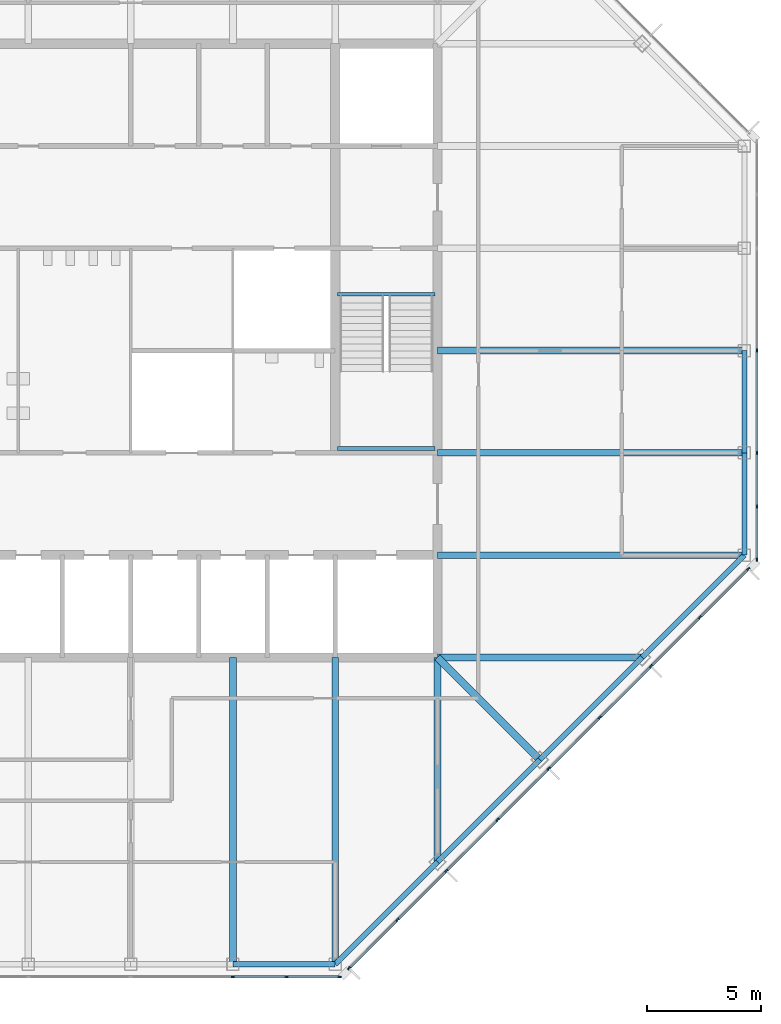
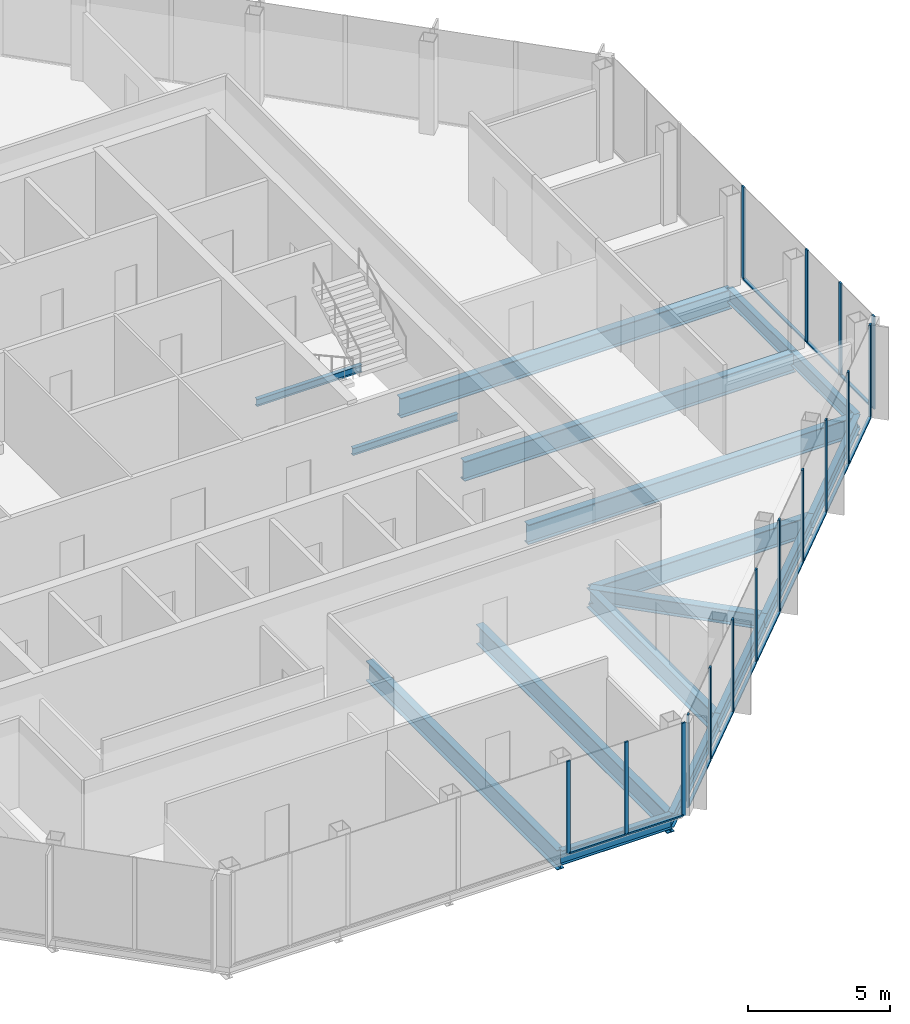
# One storey, part 4 of 14: 29 members, 17 beams, 3 elements without a shape of their own.
"""IFC4 building model written with IfcOpenShell, lengths in metres."""

from ifc_helpers import new_model, si_unit, direction, frame, origin, origin_2d, place, context, subcontext, project, spatial, rectangle, i_section, extrude, material, material_profile, profile_set, type_object, element, aggregate, save


model = new_model("IFC4")

# Units and contexts
model_context = context("Model", 3, precision=1e-05, world=origin(), true_north=direction((0.0, 1.0)))
body_context = subcontext(model_context, "Body", "Model", "MODEL_VIEW")
ifc_project = project(units=[si_unit("LENGTHUNIT", "METRE"), si_unit("AREAUNIT", "SQUARE_METRE"), si_unit("VOLUMEUNIT", "CUBIC_METRE"), si_unit("PLANEANGLEUNIT", "RADIAN"), si_unit("MASSUNIT", "GRAM", prefix="KILO")], contexts=[model_context])

# Site, building, storey
site_placement = place(None, origin())
site = spatial("IfcSite", under=ifc_project, at=site_placement, CompositionType="ELEMENT")
building_placement = place(site_placement, origin())
building = spatial("IfcBuilding", under=site, at=building_placement, Name="Corais Broadcast Tower", CompositionType="ELEMENT")
storey_placement = place(building_placement, frame((0.0, 0.0, 298.60009765625)))
storey = spatial("IfcBuildingStorey", under=building, at=storey_placement, Name="L70", CompositionType="ELEMENT", Elevation=298.60009765625)

# Beams
ifc_material_1 = material(Name="Steel ASTM A572 Grade 50", Category="steel")
ifc_material_profile_1 = material_profile(ifc_material_1, i_section(OverallWidth=0.323974609375, OverallDepth=0.611083984375, WebThickness=0.0126953125, FlangeThickness=0.01904296875, at=origin_2d()), Name="W610x155")
ifc_profile_set_1 = profile_set([ifc_material_profile_1], Name="Steel ASTM A572 Grade 50")
beam_type_1 = type_object("IfcBeamType", Name="Corner diagonal W610x155", PredefinedType="BEAM", material=ifc_profile_set_1)
beam_1_placement = place(storey_placement, frame((45.0, 9.0, -0.465576171875), z_axis=(-0.707106781187, 0.707106781187, 0.0), x_axis=(-0.707106781187, -0.707106781187, 0.0)))
element("IfcBeam", 1, at=beam_1_placement, inside=storey, type_object=beam_type_1, Name="B6 C/13 to D/12", PredefinedType="BEAM", context=body_context, shape_type="SweptSolid", body=[
    extrude(i_section(OverallWidth=0.323974609375, OverallDepth=0.611083984375, WebThickness=0.0126953125, FlangeThickness=0.01904296875, at=origin_2d()), origin(), (0.0, 0.0, 1.0), 6.364013671875),
])
ifc_material_2 = material(Name="Steel ASTM A572 Grade 50", Category="steel")
ifc_material_profile_2 = material_profile(ifc_material_2, i_section(OverallWidth=0.2939453125, OverallDepth=0.85107421875, WebThickness=0.01611328125, FlangeThickness=0.02685546875, at=origin_2d()), Name="W840x226")
ifc_profile_set_2 = profile_set([ifc_material_profile_2], Name="Steel ASTM A572 Grade 50")
beam_type_2 = type_object("IfcBeamType", Name="Floor beam W840x226", PredefinedType="BEAM", material=ifc_profile_set_2)
for number, where, z_axis, x_axis, name in (
    (2, (31.5, 0.0, -0.585693359375), (0.0, 1.0, 0.0), (-1.0, 0.0, 0.0), "B1 A/10 to D/10"),
    (3, (36.0, 0.0, -0.585693359375), (0.0, 1.0, 0.0), (-1.0, 0.0, 0.0), "B1 A/11 to D/11"),
):
    element("IfcBeam", number, at=place(storey_placement, frame(where, z_axis=z_axis, x_axis=x_axis)), inside=storey, type_object=beam_type_2, Name=name, PredefinedType="BEAM", context=body_context, shape_type="SweptSolid", body=[
        extrude(i_section(OverallWidth=0.2939453125, OverallDepth=0.85107421875, WebThickness=0.01611328125, FlangeThickness=0.02685546875, at=origin_2d()), origin(), (0.0, 0.0, 1.0), 13.5),
    ])
for number, where, z_axis, x_axis, name in (
    (4, (40.5, 4.5, -0.585693359375), (0.0, 1.0, 0.0), (-1.0, 0.0, 0.0), "B1 B/12 to D/12"),
    (5, (49.5, 13.5, -0.585693359375), (-1.0, 0.0, 0.0), (0.0, -1.0, 0.0), "B1 D/14 to D/12"),
):
    element("IfcBeam", number, at=place(storey_placement, frame(where, z_axis=z_axis, x_axis=x_axis)), inside=storey, type_object=beam_type_2, Name=name, PredefinedType="BEAM", context=body_context, shape_type="SweptSolid", body=[
        extrude(i_section(OverallWidth=0.2939453125, OverallDepth=0.85107421875, WebThickness=0.01611328125, FlangeThickness=0.02685546875, at=origin_2d()), origin(), (0.0, 0.0, 1.0), 9.0),
    ])
for number, where, z_axis, x_axis, name in (
    (6, (54.0, 18.0, -0.585693359375), (-1.0, 0.0, 0.0), (0.0, -1.0, 0.0), "B1 E/15 to E/12"),
    (7, (54.0, 22.5, -0.585693359375), (-1.0, 0.0, 0.0), (0.0, -1.0, 0.0), "B1 F/15 to F/12"),
    (8, (54.0, 27.0, -0.585693359375), (-1.0, 0.0, 0.0), (0.0, -1.0, 0.0), "B1 G/15 to G/12"),
):
    element("IfcBeam", number, at=place(storey_placement, frame(where, z_axis=z_axis, x_axis=x_axis)), inside=storey, type_object=beam_type_2, Name=name, PredefinedType="BEAM", context=body_context, shape_type="SweptSolid", body=[
        extrude(i_section(OverallWidth=0.2939453125, OverallDepth=0.85107421875, WebThickness=0.01611328125, FlangeThickness=0.02685546875, at=origin_2d()), origin(), (0.0, 0.0, 1.0), 13.5),
    ])
ifc_material_3 = material(Name="Steel ASTM A572 Grade 50", Category="steel")
ifc_material_profile_3 = material_profile(ifc_material_3, i_section(OverallWidth=0.1650390625, OverallDepth=0.31005859375, WebThickness=0.005859375, FlangeThickness=0.009765625, at=origin_2d()), Name="W310x38.7")
ifc_profile_set_3 = profile_set([ifc_material_profile_3], Name="Steel ASTM A572 Grade 50")
beam_type_3 = type_object("IfcBeamType", Name="Landing trimmer W310x38.7", PredefinedType="BEAM", material=ifc_profile_set_3)
for number, where, z_axis, x_axis, name in (
    (9, (36.10009765625, 29.47509765625, -0.35498046875), (1.0, 0.0, 0.0), (0.0, 1.0, 0.0), "LT1 stair B landing trimmer L70"),
    (10, (36.10009765625, 22.68994140625, 1.64501953125), (1.0, 0.0, 0.0), (0.0, 1.0, 0.0), "LT1 stair B half landing trimmer L70"),
):
    element("IfcBeam", number, at=place(storey_placement, frame(where, z_axis=z_axis, x_axis=x_axis)), inside=storey, type_object=beam_type_3, Name=name, PredefinedType="BEAM", context=body_context, shape_type="SweptSolid", body=[
        extrude(i_section(OverallWidth=0.1650390625, OverallDepth=0.31005859375, WebThickness=0.005859375, FlangeThickness=0.009765625, at=origin_2d()), origin(), (0.0, 0.0, 1.0), 4.2998046875),
    ])

# Curtain wall, members
ifc_material_4 = material(Name="Aluminium and glass", Category="aluminium")
curtain_wall_type = type_object("IfcCurtainWallType", Name="Unitised fritted curtain wall CW3", PredefinedType="NOTDEFINED", material=ifc_material_4)
curtain_wall_1_placement = place(storey_placement, origin())
curtain_wall_1 = element("IfcCurtainWall", 11, at=curtain_wall_1_placement, inside=storey, type_object=curtain_wall_type, Name="CW3 curtain wall L70 6", PredefinedType="NOTDEFINED")
ifc_material_5 = material(Name="Aluminium 6063-T6", Category="aluminium")
ifc_material_profile_4 = material_profile(ifc_material_5, rectangle(XDim=0.06494140625, YDim=0.159912109375, at=origin_2d()), Name="Mullion CW3 65x160")
ifc_profile_set_4 = profile_set([ifc_material_profile_4], Name="Aluminium 6063-T6")
member_type_1 = type_object("IfcMemberType", Name="Mullion CW3 65x160", PredefinedType="MULLION", material=ifc_profile_set_4)
member_1_placement = place(storey_placement, frame((54.550048828125, 27.0, 0.0), z_axis=(0.0, 0.0, 1.0), x_axis=(1.0, 0.0, 0.0)))
member_1 = element("IfcMember", 12, at=member_1_placement, type_object=member_type_1, Name="CW3 mullion 4", PredefinedType="MULLION", context=body_context, shape_type="SweptSolid", body=[
    extrude(rectangle(XDim=0.06494140625, YDim=0.159912109375, at=origin_2d()), origin(), (0.0, 0.0, 1.0), 4.0),
])
member_2_placement = place(storey_placement, frame((54.550048828125, 22.5, 0.0), z_axis=(0.0, 0.0, 1.0), x_axis=(1.0, 0.0, 0.0)))
member_2 = element("IfcMember", 13, at=member_2_placement, type_object=member_type_1, Name="CW3 mullion 5", PredefinedType="MULLION", context=body_context, shape_type="SweptSolid", body=[
    extrude(rectangle(XDim=0.06494140625, YDim=0.159912109375, at=origin_2d()), origin(), (0.0, 0.0, 1.0), 4.0),
])
member_3_placement = place(storey_placement, frame((54.550048828125, 20.135986328125, 0.0), z_axis=(0.0, 0.0, 1.0), x_axis=(1.0, 0.0, 0.0)))
member_3 = element("IfcMember", 14, at=member_3_placement, type_object=member_type_1, Name="CW3 mullion 6", PredefinedType="MULLION", context=body_context, shape_type="SweptSolid", body=[
    extrude(rectangle(XDim=0.06494140625, YDim=0.159912109375, at=origin_2d()), origin(), (0.0, 0.0, 1.0), 4.0),
])
member_4_placement = place(storey_placement, frame((54.550048828125, 17.8046875, 0.0), z_axis=(0.0, 0.0, 1.0), x_axis=(1.0, 0.0, 0.0)))
member_4 = element("IfcMember", 15, at=member_4_placement, type_object=member_type_1, Name="CW3 mullion 7", PredefinedType="MULLION", context=body_context, shape_type="SweptSolid", body=[
    extrude(rectangle(XDim=0.06494140625, YDim=0.159912109375, at=origin_2d()), origin(), (0.0, 0.0, 1.0), 4.0),
])

curtain_wall_2_placement = place(storey_placement, origin())
curtain_wall_2 = element("IfcCurtainWall", 16, at=curtain_wall_2_placement, inside=storey, type_object=curtain_wall_type, Name="CW3 curtain wall L70 7", PredefinedType="NOTDEFINED")
member_5_placement = place(storey_placement, frame((54.17333984375, 17.3955078125, 0.0), z_axis=(0.0, 0.0, 1.0), x_axis=(0.707106781187, -0.707106781187, 0.0)))
member_5 = element("IfcMember", 17, at=member_5_placement, type_object=member_type_1, Name="CW3 mullion 1", PredefinedType="MULLION", context=body_context, shape_type="SweptSolid", body=[
    extrude(rectangle(XDim=0.06494140625, YDim=0.159912109375, at=origin_2d()), origin(), (0.0, 0.0, 1.0), 4.0),
])
member_6_placement = place(storey_placement, frame((52.042724609375, 15.264892578125, 0.0), z_axis=(0.0, 0.0, 1.0), x_axis=(0.707106781187, -0.707106781187, 0.0)))
member_6 = element("IfcMember", 18, at=member_6_placement, type_object=member_type_1, Name="CW3 mullion 2", PredefinedType="MULLION", context=body_context, shape_type="SweptSolid", body=[
    extrude(rectangle(XDim=0.06494140625, YDim=0.159912109375, at=origin_2d()), origin(), (0.0, 0.0, 1.0), 4.0),
])
member_7_placement = place(storey_placement, frame((49.888916015625, 13.111083984375, 0.0), z_axis=(0.0, 0.0, 1.0), x_axis=(0.707106781187, -0.707106781187, 0.0)))
member_7 = element("IfcMember", 19, at=member_7_placement, type_object=member_type_1, Name="CW3 mullion 3", PredefinedType="MULLION", context=body_context, shape_type="SweptSolid", body=[
    extrude(rectangle(XDim=0.06494140625, YDim=0.159912109375, at=origin_2d()), origin(), (0.0, 0.0, 1.0), 4.0),
])
member_8_placement = place(storey_placement, frame((47.638916015625, 10.861083984375, 0.0), z_axis=(0.0, 0.0, 1.0), x_axis=(0.707106781187, -0.707106781187, 0.0)))
member_8 = element("IfcMember", 20, at=member_8_placement, type_object=member_type_1, Name="CW3 mullion 4", PredefinedType="MULLION", context=body_context, shape_type="SweptSolid", body=[
    extrude(rectangle(XDim=0.06494140625, YDim=0.159912109375, at=origin_2d()), origin(), (0.0, 0.0, 1.0), 4.0),
])
member_9_placement = place(storey_placement, frame((45.388916015625, 8.611083984375, 0.0), z_axis=(0.0, 0.0, 1.0), x_axis=(0.707106781187, -0.707106781187, 0.0)))
member_9 = element("IfcMember", 21, at=member_9_placement, type_object=member_type_1, Name="CW3 mullion 5", PredefinedType="MULLION", context=body_context, shape_type="SweptSolid", body=[
    extrude(rectangle(XDim=0.06494140625, YDim=0.159912109375, at=origin_2d()), origin(), (0.0, 0.0, 1.0), 4.0),
])
member_10_placement = place(storey_placement, frame((43.138916015625, 6.361083984375, 0.0), z_axis=(0.0, 0.0, 1.0), x_axis=(0.707106781187, -0.707106781187, 0.0)))
member_10 = element("IfcMember", 22, at=member_10_placement, type_object=member_type_1, Name="CW3 mullion 6", PredefinedType="MULLION", context=body_context, shape_type="SweptSolid", body=[
    extrude(rectangle(XDim=0.06494140625, YDim=0.159912109375, at=origin_2d()), origin(), (0.0, 0.0, 1.0), 4.0),
])
member_11_placement = place(storey_placement, frame((40.888916015625, 4.111083984375, 0.0), z_axis=(0.0, 0.0, 1.0), x_axis=(0.707106781187, -0.707106781187, 0.0)))
member_11 = element("IfcMember", 23, at=member_11_placement, type_object=member_type_1, Name="CW3 mullion 7", PredefinedType="MULLION", context=body_context, shape_type="SweptSolid", body=[
    extrude(rectangle(XDim=0.06494140625, YDim=0.159912109375, at=origin_2d()), origin(), (0.0, 0.0, 1.0), 4.0),
])
member_12_placement = place(storey_placement, frame((38.735107421875, 1.957275390625, 0.0), z_axis=(0.0, 0.0, 1.0), x_axis=(0.707106781187, -0.707106781187, 0.0)))
member_12 = element("IfcMember", 24, at=member_12_placement, type_object=member_type_1, Name="CW3 mullion 8", PredefinedType="MULLION", context=body_context, shape_type="SweptSolid", body=[
    extrude(rectangle(XDim=0.06494140625, YDim=0.159912109375, at=origin_2d()), origin(), (0.0, 0.0, 1.0), 4.0),
])
member_13_placement = place(storey_placement, frame((36.6044921875, -0.17333984375, 0.0), z_axis=(0.0, 0.0, 1.0), x_axis=(0.707106781187, -0.707106781187, 0.0)))
member_13 = element("IfcMember", 25, at=member_13_placement, type_object=member_type_1, Name="CW3 mullion 9", PredefinedType="MULLION", context=body_context, shape_type="SweptSolid", body=[
    extrude(rectangle(XDim=0.06494140625, YDim=0.159912109375, at=origin_2d()), origin(), (0.0, 0.0, 1.0), 4.0),
])

curtain_wall_3_placement = place(storey_placement, origin())
curtain_wall_3 = element("IfcCurtainWall", 26, at=curtain_wall_3_placement, inside=storey, type_object=curtain_wall_type, Name="CW3 curtain wall L70 8", PredefinedType="NOTDEFINED")
member_14_placement = place(storey_placement, frame((36.1953125, -0.550048828125, 0.0), z_axis=(0.0, 0.0, 1.0), x_axis=(0.0, -1.0, 0.0)))
member_14 = element("IfcMember", 27, at=member_14_placement, type_object=member_type_1, Name="CW3 mullion 1", PredefinedType="MULLION", context=body_context, shape_type="SweptSolid", body=[
    extrude(rectangle(XDim=0.06494140625, YDim=0.159912109375, at=origin_2d()), origin(), (0.0, 0.0, 1.0), 4.0),
])
member_15_placement = place(storey_placement, frame((33.864013671875, -0.550048828125, 0.0), z_axis=(0.0, 0.0, 1.0), x_axis=(0.0, -1.0, 0.0)))
member_15 = element("IfcMember", 28, at=member_15_placement, type_object=member_type_1, Name="CW3 mullion 2", PredefinedType="MULLION", context=body_context, shape_type="SweptSolid", body=[
    extrude(rectangle(XDim=0.06494140625, YDim=0.159912109375, at=origin_2d()), origin(), (0.0, 0.0, 1.0), 4.0),
])
member_16_placement = place(storey_placement, frame((31.5, -0.550048828125, 0.0), z_axis=(0.0, 0.0, 1.0), x_axis=(0.0, -1.0, 0.0)))
member_16 = element("IfcMember", 29, at=member_16_placement, type_object=member_type_1, Name="CW3 mullion 3", PredefinedType="MULLION", context=body_context, shape_type="SweptSolid", body=[
    extrude(rectangle(XDim=0.06494140625, YDim=0.159912109375, at=origin_2d()), origin(), (0.0, 0.0, 1.0), 4.0),
])

# Beams
ifc_material_6 = material(Name="Steel ASTM A572 Grade 50", Category="steel")
ifc_material_profile_5 = material_profile(ifc_material_6, i_section(OverallWidth=0.22998046875, OverallDepth=0.616943359375, WebThickness=0.01318359375, FlangeThickness=0.022216796875, at=origin_2d()), Name="W610x140")
ifc_profile_set_5 = profile_set([ifc_material_profile_5], Name="Steel ASTM A572 Grade 50")
beam_type_4 = type_object("IfcBeamType", Name="Spandrel W610x140", PredefinedType="BEAM", material=ifc_profile_set_5)
beam_2_placement = place(storey_placement, frame((31.5, 0.0, -0.468505859375), z_axis=(1.0, 0.0, 0.0), x_axis=(0.0, 1.0, 0.0)))
element("IfcBeam", 30, at=beam_2_placement, inside=storey, type_object=beam_type_4, Name="SB3 A/10 to A/11", PredefinedType="BEAM", context=body_context, shape_type="SweptSolid", body=[
    extrude(i_section(OverallWidth=0.22998046875, OverallDepth=0.616943359375, WebThickness=0.01318359375, FlangeThickness=0.022216796875, at=origin_2d()), origin(), (0.0, 0.0, 1.0), 4.5),
])
for number, where, z_axis, x_axis, name in (
    (31, (36.0, 0.0, -0.468505859375), (0.707106781187, 0.707106781187, 0.0), (-0.707106781187, 0.707106781187, 0.0), "SB3 A/11 to B/12"),
    (32, (40.5, 4.5, -0.468505859375), (0.707106781187, 0.707106781187, 0.0), (-0.707106781187, 0.707106781187, 0.0), "SB3 B/12 to C/13"),
    (33, (45.0, 9.0, -0.468505859375), (0.707106781187, 0.707106781187, 0.0), (-0.707106781187, 0.707106781187, 0.0), "SB3 C/13 to D/14"),
    (34, (49.5, 13.5, -0.468505859375), (0.707106781187, 0.707106781187, 0.0), (-0.707106781187, 0.707106781187, 0.0), "SB3 D/14 to E/15"),
):
    element("IfcBeam", number, at=place(storey_placement, frame(where, z_axis=z_axis, x_axis=x_axis)), inside=storey, type_object=beam_type_4, Name=name, PredefinedType="BEAM", context=body_context, shape_type="SweptSolid", body=[
        extrude(i_section(OverallWidth=0.22998046875, OverallDepth=0.616943359375, WebThickness=0.01318359375, FlangeThickness=0.022216796875, at=origin_2d()), origin(), (0.0, 0.0, 1.0), 6.364013671875),
    ])
for number, where, z_axis, x_axis, name in (
    (35, (54.0, 18.0, -0.468505859375), (0.0, 1.0, 0.0), (-1.0, 0.0, 0.0), "SB3 E/15 to F/15"),
    (36, (54.0, 22.5, -0.468505859375), (0.0, 1.0, 0.0), (-1.0, 0.0, 0.0), "SB3 F/15 to G/15"),
):
    element("IfcBeam", number, at=place(storey_placement, frame(where, z_axis=z_axis, x_axis=x_axis)), inside=storey, type_object=beam_type_4, Name=name, PredefinedType="BEAM", context=body_context, shape_type="SweptSolid", body=[
        extrude(i_section(OverallWidth=0.22998046875, OverallDepth=0.616943359375, WebThickness=0.01318359375, FlangeThickness=0.022216796875, at=origin_2d()), origin(), (0.0, 0.0, 1.0), 4.5),
    ])

# Member
ifc_material_7 = material(Name="Aluminium 6063-T6", Category="aluminium")
ifc_material_profile_6 = material_profile(ifc_material_7, rectangle(XDim=0.1201171875, YDim=0.06494140625, at=origin_2d()), Name="Transom CW3 65x120")
ifc_profile_set_6 = profile_set([ifc_material_profile_6], Name="Aluminium 6063-T6")
member_type_2 = type_object("IfcMemberType", Name="Transom CW3 65x120", PredefinedType="USERDEFINED", material=ifc_profile_set_6)
member_17_placement = place(storey_placement, frame((54.550048828125, 26.967529296875, 0.032470703125), z_axis=(0.0, -1.0, 0.0), x_axis=(1.0, 0.0, 0.0)))
member_17 = element("IfcMember", 37, at=member_17_placement, type_object=member_type_2, Name="CW3 transom 4.1", ObjectType="TRANSOM", PredefinedType="USERDEFINED", context=body_context, shape_type="SweptSolid", body=[
    extrude(rectangle(XDim=0.1201171875, YDim=0.06494140625, at=origin_2d()), origin(), (0.0, 0.0, 1.0), 4.43505859375),
])

member_18_placement = place(storey_placement, frame((54.550048828125, 22.467529296875, 0.032470703125), z_axis=(0.0, -1.0, 0.0), x_axis=(1.0, 0.0, 0.0)))
member_18 = element("IfcMember", 38, at=member_18_placement, type_object=member_type_2, Name="CW3 transom 5.1", ObjectType="TRANSOM", PredefinedType="USERDEFINED", context=body_context, shape_type="SweptSolid", body=[
    extrude(rectangle(XDim=0.1201171875, YDim=0.06494140625, at=origin_2d()), origin(), (0.0, 0.0, 1.0), 2.298828125),
])

member_19_placement = place(storey_placement, frame((54.550048828125, 20.103515625, 0.032470703125), z_axis=(0.0, -1.0, 0.0), x_axis=(1.0, 0.0, 0.0)))
member_19 = element("IfcMember", 39, at=member_19_placement, type_object=member_type_2, Name="CW3 transom 6.1", ObjectType="TRANSOM", PredefinedType="USERDEFINED", context=body_context, shape_type="SweptSolid", body=[
    extrude(rectangle(XDim=0.1201171875, YDim=0.06494140625, at=origin_2d()), origin(), (0.0, 0.0, 1.0), 2.266357421875),
])

aggregate(curtain_wall_1, [member_1, member_2, member_3, member_4, member_17, member_18, member_19])

member_20_placement = place(storey_placement, frame((54.150390625, 17.37255859375, 0.032470703125), z_axis=(-0.707106781187, -0.707106781187, 0.0), x_axis=(0.707106781187, -0.707106781187, 0.0)))
member_20 = element("IfcMember", 40, at=member_20_placement, type_object=member_type_2, Name="CW3 transom 1.1", ObjectType="TRANSOM", PredefinedType="USERDEFINED", context=body_context, shape_type="SweptSolid", body=[
    extrude(rectangle(XDim=0.1201171875, YDim=0.06494140625, at=origin_2d()), origin(), (0.0, 0.0, 1.0), 2.9482421875),
])

member_21_placement = place(storey_placement, frame((52.019775390625, 15.241943359375, 0.032470703125), z_axis=(-0.707106781187, -0.707106781187, 0.0), x_axis=(0.707106781187, -0.707106781187, 0.0)))
member_21 = element("IfcMember", 41, at=member_21_placement, type_object=member_type_2, Name="CW3 transom 2.1", ObjectType="TRANSOM", PredefinedType="USERDEFINED", context=body_context, shape_type="SweptSolid", body=[
    extrude(rectangle(XDim=0.1201171875, YDim=0.06494140625, at=origin_2d()), origin(), (0.0, 0.0, 1.0), 2.98095703125),
])

member_22_placement = place(storey_placement, frame((49.865966796875, 13.088134765625, 0.032470703125), z_axis=(-0.707106781187, -0.707106781187, 0.0), x_axis=(0.707106781187, -0.707106781187, 0.0)))
member_22 = element("IfcMember", 42, at=member_22_placement, type_object=member_type_2, Name="CW3 transom 3.1", ObjectType="TRANSOM", PredefinedType="USERDEFINED", context=body_context, shape_type="SweptSolid", body=[
    extrude(rectangle(XDim=0.1201171875, YDim=0.06494140625, at=origin_2d()), origin(), (0.0, 0.0, 1.0), 3.1171875),
])

member_23_placement = place(storey_placement, frame((47.615966796875, 10.838134765625, 0.032470703125), z_axis=(-0.707106781187, -0.707106781187, 0.0), x_axis=(0.707106781187, -0.707106781187, 0.0)))
member_23 = element("IfcMember", 43, at=member_23_placement, type_object=member_type_2, Name="CW3 transom 4.1", ObjectType="TRANSOM", PredefinedType="USERDEFINED", context=body_context, shape_type="SweptSolid", body=[
    extrude(rectangle(XDim=0.1201171875, YDim=0.06494140625, at=origin_2d()), origin(), (0.0, 0.0, 1.0), 3.1171875),
])

member_24_placement = place(storey_placement, frame((45.365966796875, 8.588134765625, 0.032470703125), z_axis=(-0.707106781187, -0.707106781187, 0.0), x_axis=(0.707106781187, -0.707106781187, 0.0)))
member_24 = element("IfcMember", 44, at=member_24_placement, type_object=member_type_2, Name="CW3 transom 5.1", ObjectType="TRANSOM", PredefinedType="USERDEFINED", context=body_context, shape_type="SweptSolid", body=[
    extrude(rectangle(XDim=0.1201171875, YDim=0.06494140625, at=origin_2d()), origin(), (0.0, 0.0, 1.0), 3.1171875),
])

member_25_placement = place(storey_placement, frame((43.115966796875, 6.338134765625, 0.032470703125), z_axis=(-0.707106781187, -0.707106781187, 0.0), x_axis=(0.707106781187, -0.707106781187, 0.0)))
member_25 = element("IfcMember", 45, at=member_25_placement, type_object=member_type_2, Name="CW3 transom 6.1", ObjectType="TRANSOM", PredefinedType="USERDEFINED", context=body_context, shape_type="SweptSolid", body=[
    extrude(rectangle(XDim=0.1201171875, YDim=0.06494140625, at=origin_2d()), origin(), (0.0, 0.0, 1.0), 3.1171875),
])

member_26_placement = place(storey_placement, frame((40.865966796875, 4.088134765625, 0.032470703125), z_axis=(-0.70714773134, -0.707065828661, 0.0), x_axis=(0.707065828661, -0.70714773134, 0.0)))
member_26 = element("IfcMember", 46, at=member_26_placement, type_object=member_type_2, Name="CW3 transom 7.1", ObjectType="TRANSOM", PredefinedType="USERDEFINED", context=body_context, shape_type="SweptSolid", body=[
    extrude(rectangle(XDim=0.1201171875, YDim=0.06494140625, at=origin_2d()), origin(), (0.0, 0.0, 1.0), 2.98095703125),
])

member_27_placement = place(storey_placement, frame((38.712158203125, 1.934326171875, 0.032470703125), z_axis=(-0.707106781187, -0.707106781187, 0.0), x_axis=(0.707106781187, -0.707106781187, 0.0)))
member_27 = element("IfcMember", 47, at=member_27_placement, type_object=member_type_2, Name="CW3 transom 8.1", ObjectType="TRANSOM", PredefinedType="USERDEFINED", context=body_context, shape_type="SweptSolid", body=[
    extrude(rectangle(XDim=0.1201171875, YDim=0.06494140625, at=origin_2d()), origin(), (0.0, 0.0, 1.0), 2.9482421875),
])

aggregate(curtain_wall_2, [member_5, member_6, member_7, member_8, member_9, member_10, member_11, member_12, member_13, member_20, member_21, member_22, member_23, member_24, member_25, member_26, member_27])

member_28_placement = place(storey_placement, frame((36.162841796875, -0.550048828125, 0.032470703125), z_axis=(-1.0, 0.0, 0.0), x_axis=(0.0, -1.0, 0.0)))
member_28 = element("IfcMember", 48, at=member_28_placement, type_object=member_type_2, Name="CW3 transom 1.1", ObjectType="TRANSOM", PredefinedType="USERDEFINED", context=body_context, shape_type="SweptSolid", body=[
    extrude(rectangle(XDim=0.1201171875, YDim=0.06494140625, at=origin_2d()), origin(), (0.0, 0.0, 1.0), 2.266357421875),
])

member_29_placement = place(storey_placement, frame((33.831298828125, -0.550048828125, 0.032470703125), z_axis=(-1.0, 0.0, 0.0), x_axis=(0.0, -1.0, 0.0)))
member_29 = element("IfcMember", 49, at=member_29_placement, type_object=member_type_2, Name="CW3 transom 2.1", ObjectType="TRANSOM", PredefinedType="USERDEFINED", context=body_context, shape_type="SweptSolid", body=[
    extrude(rectangle(XDim=0.1201171875, YDim=0.06494140625, at=origin_2d()), origin(), (0.0, 0.0, 1.0), 2.298828125),
])

aggregate(curtain_wall_3, [member_14, member_15, member_16, member_28, member_29])

save(model, "model.ifc")
